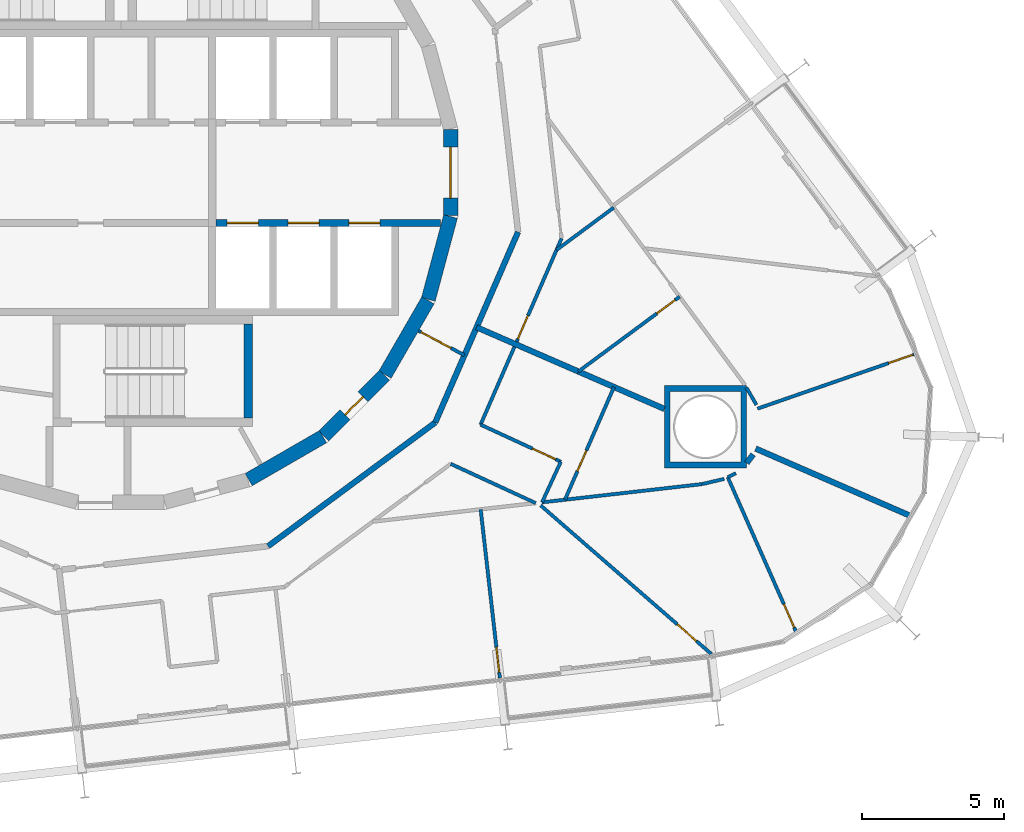
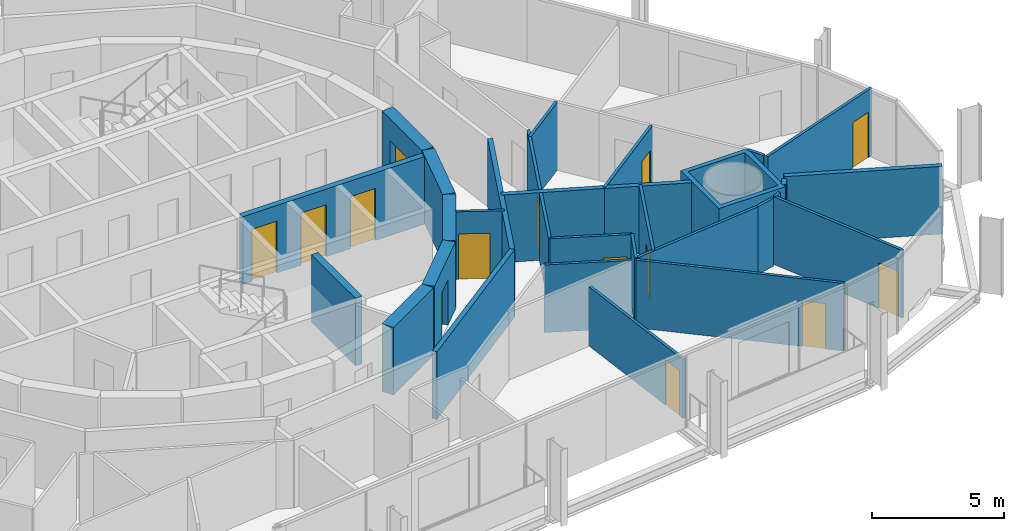
# One storey, part 19 of 24: 30 walls, 14 doors, 14 openings.
"""IFC4 building model written with IfcOpenShell, lengths in metres."""

from ifc_helpers import new_model, si_unit, direction, frame, frame_2d, origin, place, context, subcontext, project, spatial, polyline, rectangle, outline, extrude, material, layer, layer_set, type_object, element, fill, save


model = new_model("IFC4")

# Units and contexts
model_context = context("Model", 3, precision=1e-05, world=origin(), true_north=direction((0.0, 1.0)))
body_context = subcontext(model_context, "Body", "Model", "MODEL_VIEW")
ifc_project = project(units=[si_unit("LENGTHUNIT", "METRE"), si_unit("AREAUNIT", "SQUARE_METRE"), si_unit("VOLUMEUNIT", "CUBIC_METRE"), si_unit("PLANEANGLEUNIT", "RADIAN"), si_unit("MASSUNIT", "GRAM", prefix="KILO")], contexts=[model_context])

# Site, building, storey
site_placement = place(None, origin())
site = spatial("IfcSite", under=ifc_project, at=site_placement, CompositionType="ELEMENT")
building_placement = place(site_placement, origin())
building = spatial("IfcBuilding", under=site, at=building_placement, Name="Spindle Arch Residences", CompositionType="ELEMENT")
storey_placement = place(building_placement, frame((0.0, 0.0, 94.199951171875)))
storey = spatial("IfcBuildingStorey", under=building, at=storey_placement, Name="L22", CompositionType="ELEMENT", Elevation=94.199951171875)

# Wall
ifc_material_1 = material(Name="Concrete C50/60", Category="concrete")
ifc_layer_1 = layer(ifc_material_1, 0.5)
ifc_layer_set_1 = layer_set([ifc_layer_1], Name="Core outline wall 500")
wall_type_1 = type_object("IfcWallType", Name="Core outline wall 500", PredefinedType="SHEAR", material=ifc_layer_set_1)
wall_1_placement = place(storey_placement, frame((4.510498046875, -10.84521484375, 0.0), z_axis=(0.0, 0.0, 1.0), x_axis=(0.865975092491, 0.500087131594, 0.0)))
element("IfcWall", 1, at=wall_1_placement, inside=storey, type_object=wall_type_1, Name="Core outline wall 2", PredefinedType="SHEAR", context=body_context, shape_type="SweptSolid", body=[
    extrude(rectangle(XDim=3.03271484375, YDim=0.5, at=frame_2d((1.516357421875, 0.0))), origin(), (0.0, 0.0, 1.0), 3.1201171875),
])

# Wall, opening, door
wall_2_placement = place(storey_placement, frame((7.163818359375, -9.30810546875, 0.0), z_axis=(0.0, 0.0, 1.0), x_axis=(0.707106781187, 0.707106781187, 0.0)))
wall_2 = element("IfcWall", 2, at=wall_2_placement, inside=storey, type_object=wall_type_1, Name="Core outline wall 3", PredefinedType="SHEAR", context=body_context, shape_type="SweptSolid", body=[
    extrude(rectangle(XDim=3.032470703125, YDim=0.5, at=frame_2d((1.51611328125, 0.0))), origin(), (0.0, 0.0, 1.0), 3.1201171875),
])
opening_1_placement = place(wall_2_placement, frame((1.06640625, 0.0, 0.0)))
opening_1 = element("IfcOpeningElement", 3, at=opening_1_placement, cuts=wall_2, Name="Opening R2B1-WD07", PredefinedType="OPENING", context=body_context, shape_type="SweptSolid", body=[
    extrude(rectangle(XDim=0.89990234375, YDim=2.10009765625, at=frame_2d((0.449951171875, 1.050048828125))), frame((0.0, 0.260009765625, 0.0), z_axis=(0.0, -1.0, 0.0), x_axis=(1.0, 0.0, 0.0)), (0.0, 0.0, 1.0), 0.52001953125),
])
ifc_material_2 = material(Name="Steel, fire-resisting door", Category="steel")
door_type_1 = type_object("IfcDoorType", Name="Service room door 900x2100", OperationType="SINGLE_SWING_LEFT", PredefinedType="DOOR", material=ifc_material_2)
door_1_placement = place(opening_1_placement, origin())
door_1 = element("IfcDoor", 4, at=door_1_placement, inside=storey, type_object=door_type_1, Name="Service room door R2B1-WD07", OperationType="SINGLE_SWING_RIGHT", OverallHeight=2.10009765625, OverallWidth=0.89990234375, PredefinedType="DOOR", context=body_context, shape_type="SweptSolid", body=[
    extrude(rectangle(XDim=0.89990234375, YDim=2.10009765625, at=frame_2d((0.449951171875, 1.050048828125))), frame((0.0, 0.02490234375, 0.0), z_axis=(0.0, -1.0, 0.0), x_axis=(1.0, 0.0, 0.0)), (0.0, 0.0, 1.0), 0.050048828125),
])
fill(opening_1, door_1)

# Walls
for number, where, z_axis, x_axis, name in (
    (5, (9.32861328125, -7.13671875, 0.0), (0.0, 0.0, 1.0), (0.500087131594, 0.865975092491, 0.0), "Core outline wall 4"),
    (6, (10.858154296875, -4.479248046875, 0.0), (0.0, 0.0, 1.0), (0.258734743916, 0.965948410781, 0.0), "Core outline wall 5"),
):
    element("IfcWall", number, at=place(storey_placement, frame(where, z_axis=z_axis, x_axis=x_axis)), inside=storey, type_object=wall_type_1, Name=name, PredefinedType="SHEAR", context=body_context, shape_type="SweptSolid", body=[
        extrude(rectangle(XDim=3.03271484375, YDim=0.5, at=frame_2d((1.516357421875, 0.0))), origin(), (0.0, 0.0, 1.0), 3.1201171875),
    ])

# Wall, opening, door
wall_3_placement = place(storey_placement, frame((11.647216796875, -1.516357421875, 0.0), z_axis=(0.0, 0.0, 1.0), x_axis=(0.0, 1.0, 0.0)))
wall_3 = element("IfcWall", 7, at=wall_3_placement, inside=storey, type_object=wall_type_1, Name="Core outline wall 6", PredefinedType="SHEAR", context=body_context, shape_type="SweptSolid", body=[
    extrude(rectangle(XDim=3.03271484375, YDim=0.5, at=frame_2d((1.516357421875, 0.0))), origin(), (0.0, 0.0, 1.0), 3.1201171875),
])
opening_2_placement = place(wall_3_placement, frame((0.6162109375, 0.0, 0.0)))
opening_2 = element("IfcOpeningElement", 8, at=opening_2_placement, cuts=wall_3, Name="Opening R2B1-FE01", PredefinedType="OPENING", context=body_context, shape_type="SweptSolid", body=[
    extrude(rectangle(XDim=1.800048828125, YDim=2.10009765625, at=frame_2d((0.89990234375, 1.050048828125))), frame((0.0, 0.260009765625, 0.0), z_axis=(0.0, -1.0, 0.0), x_axis=(1.0, 0.0, 0.0)), (0.0, 0.0, 1.0), 0.52001953125),
])
ifc_material_3 = material(Name="Steel, fire-resisting door", Category="steel")
door_type_2 = type_object("IfcDoorType", Name="Fire-lift lobby door 1800x2100", OperationType="DOUBLE_DOOR_SINGLE_SWING", PredefinedType="DOOR", material=ifc_material_3)
door_2_placement = place(opening_2_placement, origin())
door_2 = element("IfcDoor", 9, at=door_2_placement, inside=storey, type_object=door_type_2, Name="Fire-lift lobby door R2B1-FE01", OperationType="DOUBLE_DOOR_SINGLE_SWING", OverallHeight=2.10009765625, OverallWidth=1.800048828125, PredefinedType="DOOR", context=body_context, shape_type="SweptSolid", body=[
    extrude(rectangle(XDim=1.800048828125, YDim=2.10009765625, at=frame_2d((0.89990234375, 1.050048828125))), frame((0.0, 0.02490234375, 0.0), z_axis=(0.0, -1.0, 0.0), x_axis=(1.0, 0.0, 0.0)), (0.0, 0.0, 1.0), 0.050048828125),
])
fill(opening_2, door_2)

ifc_material_4 = material(Name="Plasterboard on steel studs", Category="steel")
ifc_layer_2 = layer(ifc_material_4, 0.1201171875)
ifc_layer_set_2 = layer_set([ifc_layer_2], Name="Corridor division wall 120")
wall_type_2 = type_object("IfcWallType", Name="Corridor division wall 120", PredefinedType="PARTITIONING", material=ifc_layer_set_2)
wall_4_placement = place(storey_placement, frame((10.510986328125, -5.5888671875, 0.0), z_axis=(0.0, 0.0, 1.0), x_axis=(0.882962602189, -0.469443333253, 0.0)))
wall_4 = element("IfcWall", 10, at=wall_4_placement, inside=storey, type_object=wall_type_2, Name="Corridor division wall R2B1-W002", PredefinedType="PARTITIONING", context=body_context, shape_type="SweptSolid", body=[
    extrude(rectangle(XDim=1.837890625, YDim=0.1201171875, at=frame_2d((0.9189453125, 0.0))), origin(), (0.0, 0.0, 1.0), 3.1201171875),
])
opening_3_placement = place(wall_4_placement, frame((0.10009765625, 0.0, 0.0)))
opening_3 = element("IfcOpeningElement", 11, at=opening_3_placement, cuts=wall_4, Name="Opening R2B1-CD02", PredefinedType="OPENING", context=body_context, shape_type="SweptSolid", body=[
    extrude(rectangle(XDim=1.199951171875, YDim=2.10009765625, at=frame_2d((0.60009765625, 1.050048828125))), frame((0.0, 0.070068359375, 0.0), z_axis=(0.0, -1.0, 0.0), x_axis=(1.0, 0.0, 0.0)), (0.0, 0.0, 1.0), 0.14013671875),
])
ifc_material_5 = material(Name="Steel, fire-resisting door", Category="steel")
door_type_3 = type_object("IfcDoorType", Name="Corridor division door 1200x2100", OperationType="NOTDEFINED", PredefinedType="DOOR", material=ifc_material_5)
door_3_placement = place(opening_3_placement, origin())
door_3 = element("IfcDoor", 12, at=door_3_placement, inside=storey, type_object=door_type_3, Name="Corridor division door R2B1-CD02", OperationType="DOUBLE_DOOR_SINGLE_SWING", OverallHeight=2.10009765625, OverallWidth=1.199951171875, PredefinedType="DOOR", context=body_context, shape_type="SweptSolid", body=[
    extrude(rectangle(XDim=1.199951171875, YDim=2.10009765625, at=frame_2d((0.60009765625, 1.050048828125))), frame((0.0, 0.02490234375, 0.0), z_axis=(0.0, -1.0, 0.0), x_axis=(1.0, 0.0, 0.0)), (0.0, 0.0, 1.0), 0.050048828125),
])
fill(opening_3, door_3)

# Walls
ifc_material_6 = material(Name="Calcium silicate block, plastered")
ifc_layer_3 = layer(ifc_material_6, 0.199951171875)
ifc_layer_set_3 = layer_set([ifc_layer_3], Name="Corridor wall 200")
wall_type_3 = type_object("IfcWallType", Name="Corridor wall 200", PredefinedType="STANDARD", material=ifc_layer_set_3)
for number, where, z_axis, x_axis, name in (
    (13, (11.10009765625, -8.829345703125, 0.0), (0.0, 0.0, 1.0), (0.398741918631, 0.917063183388, 0.0), "Corridor wall R2B1-W007"),
    (14, (5.1982421875, -13.1962890625, 0.0), (0.0, 0.0, 1.0), (0.803869883159, 0.594805187394, 0.0), "Corridor wall R2B1-W015"),
):
    element("IfcWall", number, at=place(storey_placement, frame(where, z_axis=z_axis, x_axis=x_axis)), inside=storey, type_object=wall_type_3, Name=name, PredefinedType="STANDARD", context=body_context, shape_type="SweptSolid", body=[
        extrude(rectangle(XDim=7.341796875, YDim=0.199951171875, at=frame_2d((3.6708984375, 0.0))), origin(), (0.0, 0.0, 1.0), 3.1201171875),
    ])

# Wall, openings, doors
ifc_material_7 = material(Name="Concrete C50/60", Category="concrete")
ifc_layer_4 = layer(ifc_material_7, 0.25)
ifc_layer_set_4 = layer_set([ifc_layer_4], Name="Fire-lift shaft wall 250")
wall_type_4 = type_object("IfcWallType", Name="Fire-lift shaft wall 250", PredefinedType="SHEAR", material=ifc_layer_set_4)
wall_5_placement = place(storey_placement, frame((3.35009765625, -1.77490234375, 0.0), z_axis=(0.0, 0.0, 1.0), x_axis=(1.0, 0.0, 0.0)))
wall_5 = element("IfcWall", 15, at=wall_5_placement, inside=storey, type_object=wall_type_4, Name="Lift shaft front wall SE", PredefinedType="SHEAR", context=body_context, shape_type="SweptSolid", body=[
    extrude(rectangle(XDim=7.929931640625, YDim=0.25, at=frame_2d((3.96484375, 0.0))), origin(), (0.0, 0.0, 1.0), 3.1201171875),
])
opening_4_placement = place(wall_5_placement, frame((0.39990234375, 0.0, 0.0)))
opening_4 = element("IfcOpeningElement", 16, at=opening_4_placement, cuts=wall_5, Name="Opening R2B1-FLD01", PredefinedType="OPENING", context=body_context, shape_type="SweptSolid", body=[
    extrude(rectangle(XDim=1.10009765625, YDim=2.39990234375, at=frame_2d((0.550048828125, 1.199951171875))), frame((0.0, 0.135009765625, 0.0), z_axis=(0.0, -1.0, 0.0), x_axis=(1.0, 0.0, 0.0)), (0.0, 0.0, 1.0), 0.27001953125),
])
opening_5_placement = place(wall_5_placement, frame((2.550048828125, 0.0, 0.0)))
opening_5 = element("IfcOpeningElement", 17, at=opening_5_placement, cuts=wall_5, Name="Opening R2B1-FLD02", PredefinedType="OPENING", context=body_context, shape_type="SweptSolid", body=[
    extrude(rectangle(XDim=1.10009765625, YDim=2.39990234375, at=frame_2d((0.550048828125, 1.199951171875))), frame((0.0, 0.135009765625, 0.0), z_axis=(0.0, -1.0, 0.0), x_axis=(1.0, 0.0, 0.0)), (0.0, 0.0, 1.0), 0.27001953125),
])
opening_6_placement = place(wall_5_placement, frame((4.699951171875, 0.0, 0.0)))
opening_6 = element("IfcOpeningElement", 18, at=opening_6_placement, cuts=wall_5, Name="Opening R2B1-FLD03", PredefinedType="OPENING", context=body_context, shape_type="SweptSolid", body=[
    extrude(rectangle(XDim=1.10009765625, YDim=2.39990234375, at=frame_2d((0.550048828125, 1.199951171875))), frame((0.0, 0.135009765625, 0.0), z_axis=(0.0, -1.0, 0.0), x_axis=(1.0, 0.0, 0.0)), (0.0, 0.0, 1.0), 0.27001953125),
])
ifc_material_8 = material(Name="Steel, fire-resisting landing door", Category="steel")
door_type_4 = type_object("IfcDoorType", Name="Fire-fighting lift landing door 1100x2400", OperationType="DOUBLE_DOOR_SLIDING", PredefinedType="DOOR", material=ifc_material_8)
door_4_placement = place(opening_4_placement, origin())
door_4 = element("IfcDoor", 19, at=door_4_placement, inside=storey, type_object=door_type_4, Name="Fire-fighting lift landing door R2B1-FLD01", OperationType="DOUBLE_DOOR_SLIDING", OverallHeight=2.39990234375, OverallWidth=1.10009765625, PredefinedType="DOOR", context=body_context, shape_type="SweptSolid", body=[
    extrude(rectangle(XDim=1.10009765625, YDim=2.39990234375, at=frame_2d((0.550048828125, 1.199951171875))), frame((0.0, 0.02490234375, 0.0), z_axis=(0.0, -1.0, 0.0), x_axis=(1.0, 0.0, 0.0)), (0.0, 0.0, 1.0), 0.050048828125),
])
fill(opening_4, door_4)
door_5_placement = place(opening_5_placement, origin())
door_5 = element("IfcDoor", 20, at=door_5_placement, inside=storey, type_object=door_type_4, Name="Fire-fighting lift landing door R2B1-FLD02", OperationType="DOUBLE_DOOR_SLIDING", OverallHeight=2.39990234375, OverallWidth=1.10009765625, PredefinedType="DOOR", context=body_context, shape_type="SweptSolid", body=[
    extrude(rectangle(XDim=1.10009765625, YDim=2.39990234375, at=frame_2d((0.550048828125, 1.199951171875))), frame((0.0, 0.02490234375, 0.0), z_axis=(0.0, -1.0, 0.0), x_axis=(1.0, 0.0, 0.0)), (0.0, 0.0, 1.0), 0.050048828125),
])
fill(opening_5, door_5)
door_6_placement = place(opening_6_placement, origin())
door_6 = element("IfcDoor", 21, at=door_6_placement, inside=storey, type_object=door_type_4, Name="Fire-fighting lift landing door R2B1-FLD03", OperationType="DOUBLE_DOOR_SLIDING", OverallHeight=2.39990234375, OverallWidth=1.10009765625, PredefinedType="DOOR", context=body_context, shape_type="SweptSolid", body=[
    extrude(rectangle(XDim=1.10009765625, YDim=2.39990234375, at=frame_2d((0.550048828125, 1.199951171875))), frame((0.0, 0.02490234375, 0.0), z_axis=(0.0, -1.0, 0.0), x_axis=(1.0, 0.0, 0.0)), (0.0, 0.0, 1.0), 0.050048828125),
])
fill(opening_6, door_6)

# Walls
ifc_material_9 = material(Name="Plasterboard on steel studs", Category="steel")
ifc_layer_5 = layer(ifc_material_9, 0.1201171875)
ifc_layer_set_5 = layer_set([ifc_layer_5], Name="Flat partition 120")
wall_type_5 = type_object("IfcWallType", Name="Flat partition 120", PredefinedType="PARTITIONING", material=ifc_layer_set_5)
wall_6_placement = place(storey_placement, frame((11.648681640625, -10.289306640625, 0.0), z_axis=(0.0, 0.0, 1.0), x_axis=(0.9079269461, -0.419128453514, 0.0)))
element("IfcWall", 22, at=wall_6_placement, inside=storey, type_object=wall_type_5, Name="Flat partition R2B1-W098", PredefinedType="PARTITIONING", context=body_context, shape_type="SweptSolid", body=[
    extrude(rectangle(XDim=3.304443359375, YDim=0.1201171875, at=frame_2d((1.65234375, 0.0))), origin(), (0.0, 0.0, 1.0), 3.1201171875),
])
wall_7_placement = place(storey_placement, frame((14.87548828125, -11.6484375, 0.0), z_axis=(0.0, 0.0, 1.0), x_axis=(0.419087543301, 0.90794583046, 0.0)))
element("IfcWall", 23, at=wall_7_placement, inside=storey, type_object=wall_type_5, Name="Flat partition R2B1-W099", PredefinedType="PARTITIONING", context=body_context, shape_type="SweptSolid", body=[
    extrude(rectangle(XDim=1.58154296875, YDim=0.1201171875, at=frame_2d((0.790771484375, 0.0))), origin(), (0.0, 0.0, 1.0), 3.1201171875),
])

# Wall, opening, door
wall_8_placement = place(storey_placement, frame((15.538330078125, -10.21240234375, 0.0), z_axis=(0.0, 0.0, 1.0), x_axis=(-0.907941075756, 0.419097844131, 0.0)))
wall_8 = element("IfcWall", 24, at=wall_8_placement, inside=storey, type_object=wall_type_5, Name="Flat partition R2B1-W100", PredefinedType="PARTITIONING", context=body_context, shape_type="SweptSolid", body=[
    extrude(rectangle(XDim=3.122314453125, YDim=0.1201171875, at=frame_2d((1.56103515625, 0.0))), origin(), (0.0, 0.0, 1.0), 3.1201171875),
])
opening_7_placement = place(wall_8_placement, frame((0.199951171875, 0.0, 0.0)))
opening_7 = element("IfcOpeningElement", 25, at=opening_7_placement, cuts=wall_8, Name="Opening R2B1-ID27", PredefinedType="OPENING", context=body_context, shape_type="SweptSolid", body=[
    extrude(rectangle(XDim=0.89990234375, YDim=2.10009765625, at=frame_2d((0.449951171875, 1.050048828125))), frame((0.0, 0.070068359375, 0.0), z_axis=(0.0, -1.0, 0.0), x_axis=(1.0, 0.0, 0.0)), (0.0, 0.0, 1.0), 0.14013671875),
])
ifc_material_10 = material(Name="Timber door set", Category="wood")
door_type_5 = type_object("IfcDoorType", Name="Room door 900x2100", OperationType="NOTDEFINED", PredefinedType="DOOR", material=ifc_material_10)
door_7_placement = place(opening_7_placement, origin())
door_7 = element("IfcDoor", 26, at=door_7_placement, inside=storey, type_object=door_type_5, Name="Room door R2B1-ID27", OperationType="SINGLE_SWING_LEFT", OverallHeight=2.10009765625, OverallWidth=0.89990234375, PredefinedType="DOOR", context=body_context, shape_type="SweptSolid", body=[
    extrude(rectangle(XDim=0.89990234375, YDim=2.10009765625, at=frame_2d((0.449951171875, 1.050048828125))), frame((0.0, 0.02490234375, 0.0), z_axis=(0.0, -1.0, 0.0), x_axis=(1.0, 0.0, 0.0)), (0.0, 0.0, 1.0), 0.050048828125),
])
fill(opening_7, door_7)

wall_9_placement = place(storey_placement, frame((12.703369140625, -8.90380859375, 0.0), z_axis=(0.0, 0.0, 1.0), x_axis=(0.398716154453, 0.917074385303, 0.0)))
wall_9 = element("IfcWall", 27, at=wall_9_placement, inside=storey, type_object=wall_type_5, Name="Flat partition R2B1-W101", PredefinedType="PARTITIONING", context=body_context, shape_type="SweptSolid", body=[
    extrude(rectangle(XDim=7.172607421875, YDim=0.1201171875, at=frame_2d((3.58642578125, 0.0))), origin(), (0.0, 0.0, 1.0), 3.1201171875),
])
opening_8_placement = place(wall_9_placement, frame((3.2998046875, 0.0, 0.0)))
opening_8 = element("IfcOpeningElement", 28, at=opening_8_placement, cuts=wall_9, Name="Opening R2B1-ID32", PredefinedType="OPENING", context=body_context, shape_type="SweptSolid", body=[
    extrude(rectangle(XDim=0.89990234375, YDim=2.10009765625, at=frame_2d((0.449951171875, 1.050048828125))), frame((0.0, 0.070068359375, 0.0), z_axis=(0.0, -1.0, 0.0), x_axis=(1.0, 0.0, 0.0)), (0.0, 0.0, 1.0), 0.14013671875),
])
door_8_placement = place(opening_8_placement, origin())
door_8 = element("IfcDoor", 29, at=door_8_placement, inside=storey, type_object=door_type_5, Name="Room door R2B1-ID32", OperationType="SINGLE_SWING_RIGHT", OverallHeight=2.10009765625, OverallWidth=0.89990234375, PredefinedType="DOOR", context=body_context, shape_type="SweptSolid", body=[
    extrude(rectangle(XDim=0.89990234375, YDim=2.10009765625, at=frame_2d((0.449951171875, 1.050048828125))), frame((0.0, 0.02490234375, 0.0), z_axis=(0.0, -1.0, 0.0), x_axis=(1.0, 0.0, 0.0)), (0.0, 0.0, 1.0), 0.050048828125),
])
fill(opening_8, door_8)

wall_10_placement = place(storey_placement, frame((20.856201171875, -17.005859375, 0.0), z_axis=(0.0, 0.0, 1.0), x_axis=(-0.75423134567, 0.656608770281, 0.0)))
wall_10 = element("IfcWall", 30, at=wall_10_placement, inside=storey, type_object=wall_type_5, Name="Flat partition R2B1-W105", PredefinedType="PARTITIONING", context=body_context, shape_type="SweptSolid", body=[
    extrude(rectangle(XDim=7.995361328125, YDim=0.1201171875, at=frame_2d((3.99755859375, 0.0))), origin(), (0.0, 0.0, 1.0), 3.1201171875),
])
opening_9_placement = place(wall_10_placement, frame((0.699951171875, 0.0, 0.0)))
opening_9 = element("IfcOpeningElement", 31, at=opening_9_placement, cuts=wall_10, Name="Opening R2B1-ID29", PredefinedType="OPENING", context=body_context, shape_type="SweptSolid", body=[
    extrude(rectangle(XDim=0.89990234375, YDim=2.10009765625, at=frame_2d((0.449951171875, 1.050048828125))), frame((0.0, 0.070068359375, 0.0), z_axis=(0.0, -1.0, 0.0), x_axis=(1.0, 0.0, 0.0)), (0.0, 0.0, 1.0), 0.14013671875),
])
door_9_placement = place(opening_9_placement, origin())
door_9 = element("IfcDoor", 32, at=door_9_placement, inside=storey, type_object=door_type_5, Name="Room door R2B1-ID29", OperationType="SINGLE_SWING_RIGHT", OverallHeight=2.10009765625, OverallWidth=0.89990234375, PredefinedType="DOOR", context=body_context, shape_type="SweptSolid", body=[
    extrude(rectangle(XDim=0.89990234375, YDim=2.10009765625, at=frame_2d((0.449951171875, 1.050048828125))), frame((0.0, 0.02490234375, 0.0), z_axis=(0.0, -1.0, 0.0), x_axis=(1.0, 0.0, 0.0)), (0.0, 0.0, 1.0), 0.050048828125),
])
fill(opening_9, door_9)

# Walls
wall_11_placement = place(storey_placement, frame((20.52685546875, -11.00439453125, 0.0), z_axis=(0.0, 0.0, 1.0), x_axis=(-0.993568869194, -0.113229422712, 0.0)))
element("IfcWall", 33, at=wall_11_placement, inside=storey, type_object=wall_type_5, Name="Flat partition R2B1-W106", PredefinedType="PARTITIONING", context=body_context, shape_type="SweptSolid", body=[
    extrude(rectangle(XDim=5.68798828125, YDim=0.1201171875, at=frame_2d((2.843994140625, 0.0))), origin(), (0.0, 0.0, 1.0), 3.1201171875),
])
wall_12_placement = place(storey_placement, frame((21.3125, -10.82080078125, 0.0), z_axis=(0.0, 0.0, 1.0), x_axis=(-0.973765266404, -0.227554841621, 0.0)))
element("IfcWall", 34, at=wall_12_placement, inside=storey, type_object=wall_type_5, Name="Flat partition R2B1-W107", PredefinedType="PARTITIONING", context=body_context, shape_type="SweptSolid", body=[
    extrude(rectangle(XDim=0.806884765625, YDim=0.1201171875, at=frame_2d((0.4033203125, 0.0))), origin(), (0.0, 0.0, 1.0), 3.1201171875),
])

# Wall, opening, door
wall_13_placement = place(storey_placement, frame((23.863525390625, -16.253173828125, 0.0), z_axis=(0.0, 0.0, 1.0), x_axis=(-0.404274566917, 0.914637673915, 0.0)))
wall_13 = element("IfcWall", 35, at=wall_13_placement, inside=storey, type_object=wall_type_5, Name="Flat partition R2B1-W108", PredefinedType="PARTITIONING", context=body_context, shape_type="SweptSolid", body=[
    extrude(rectangle(XDim=6.00634765625, YDim=0.1201171875, at=frame_2d((3.003173828125, 0.0))), origin(), (0.0, 0.0, 1.0), 3.1201171875),
])
opening_10_placement = place(wall_13_placement, frame((0.199951171875, 0.0, 0.0)))
opening_10 = element("IfcOpeningElement", 36, at=opening_10_placement, cuts=wall_13, Name="Opening R2B1-ID30", PredefinedType="OPENING", context=body_context, shape_type="SweptSolid", body=[
    extrude(rectangle(XDim=0.89990234375, YDim=2.10009765625, at=frame_2d((0.449951171875, 1.050048828125))), frame((0.0, 0.070068359375, 0.0), z_axis=(0.0, -1.0, 0.0), x_axis=(1.0, 0.0, 0.0)), (0.0, 0.0, 1.0), 0.14013671875),
])
door_10_placement = place(opening_10_placement, origin())
door_10 = element("IfcDoor", 37, at=door_10_placement, inside=storey, type_object=door_type_5, Name="Room door R2B1-ID30", OperationType="SINGLE_SWING_RIGHT", OverallHeight=2.10009765625, OverallWidth=0.89990234375, PredefinedType="DOOR", context=body_context, shape_type="SweptSolid", body=[
    extrude(rectangle(XDim=0.89990234375, YDim=2.10009765625, at=frame_2d((0.449951171875, 1.050048828125))), frame((0.0, 0.02490234375, 0.0), z_axis=(0.0, -1.0, 0.0), x_axis=(1.0, 0.0, 0.0)), (0.0, 0.0, 1.0), 0.050048828125),
])
fill(opening_10, door_10)

wall_14_placement = place(storey_placement, frame((15.685546875, -11.55615234375, 0.0), z_axis=(0.0, 0.0, 1.0), x_axis=(0.398724055903, 0.917070949951, 0.0)))
wall_14 = element("IfcWall", 38, at=wall_14_placement, inside=storey, type_object=wall_type_5, Name="Flat partition R2B1-W109", PredefinedType="PARTITIONING", context=body_context, shape_type="SweptSolid", body=[
    extrude(rectangle(XDim=4.343017578125, YDim=0.1201171875, at=frame_2d((2.17138671875, 0.0))), origin(), (0.0, 0.0, 1.0), 3.1201171875),
])
opening_11_placement = place(wall_14_placement, frame((1.10009765625, 0.0, 0.0)))
opening_11 = element("IfcOpeningElement", 39, at=opening_11_placement, cuts=wall_14, Name="Opening R2B1-BD06", PredefinedType="OPENING", context=body_context, shape_type="SweptSolid", body=[
    extrude(rectangle(XDim=0.800048828125, YDim=2.10009765625, at=frame_2d((0.39990234375, 1.050048828125))), frame((0.0, 0.070068359375, 0.0), z_axis=(0.0, -1.0, 0.0), x_axis=(1.0, 0.0, 0.0)), (0.0, 0.0, 1.0), 0.14013671875),
])
ifc_material_11 = material(Name="Timber door set", Category="wood")
door_type_6 = type_object("IfcDoorType", Name="Bathroom door 800x2100", OperationType="NOTDEFINED", PredefinedType="DOOR", material=ifc_material_11)
door_11_placement = place(opening_11_placement, origin())
door_11 = element("IfcDoor", 40, at=door_11_placement, inside=storey, type_object=door_type_6, Name="Bathroom door R2B1-BD06", OperationType="SINGLE_SWING_RIGHT", OverallHeight=2.10009765625, OverallWidth=0.800048828125, PredefinedType="DOOR", context=body_context, shape_type="SweptSolid", body=[
    extrude(rectangle(XDim=0.800048828125, YDim=2.10009765625, at=frame_2d((0.39990234375, 1.050048828125))), frame((0.0, 0.02490234375, 0.0), z_axis=(0.0, -1.0, 0.0), x_axis=(1.0, 0.0, 0.0)), (0.0, 0.0, 1.0), 0.050048828125),
])
fill(opening_11, door_11)

# Wall
wall_15_placement = place(storey_placement, frame((21.435302734375, -10.759521484375, 0.0), z_axis=(0.0, 0.0, 1.0), x_axis=(0.895041493646, 0.445982874841, 0.0)))
element("IfcWall", 41, at=wall_15_placement, inside=storey, type_object=wall_type_5, Name="Flat partition R2B1-W110", PredefinedType="PARTITIONING", context=body_context, shape_type="SweptSolid", body=[
    extrude(rectangle(XDim=0.3173828125, YDim=0.1201171875, at=frame_2d((0.15869140625, 0.0))), origin(), (0.0, 0.0, 1.0), 3.1201171875),
])

# Wall, opening, door
wall_16_placement = place(storey_placement, frame((28.161865234375, -6.367919921875, 0.0), z_axis=(0.0, 0.0, 1.0), x_axis=(-0.944645847702, -0.328091789624, 0.0)))
wall_16 = element("IfcWall", 42, at=wall_16_placement, inside=storey, type_object=wall_type_5, Name="Flat partition R2B1-W117", PredefinedType="PARTITIONING", context=body_context, shape_type="SweptSolid", body=[
    extrude(rectangle(XDim=6.006591796875, YDim=0.1201171875, at=frame_2d((3.00341796875, 0.0))), origin(), (0.0, 0.0, 1.0), 3.1201171875),
])
opening_12_placement = place(wall_16_placement, frame((0.199951171875, 0.0, 0.0)))
opening_12 = element("IfcOpeningElement", 43, at=opening_12_placement, cuts=wall_16, Name="Opening R2B1-ID34", PredefinedType="OPENING", context=body_context, shape_type="SweptSolid", body=[
    extrude(rectangle(XDim=0.89990234375, YDim=2.10009765625, at=frame_2d((0.449951171875, 1.050048828125))), frame((0.0, 0.070068359375, 0.0), z_axis=(0.0, -1.0, 0.0), x_axis=(1.0, 0.0, 0.0)), (0.0, 0.0, 1.0), 0.14013671875),
])
door_12_placement = place(opening_12_placement, origin())
door_12 = element("IfcDoor", 44, at=door_12_placement, inside=storey, type_object=door_type_5, Name="Room door R2B1-ID34", OperationType="SINGLE_SWING_LEFT", OverallHeight=2.10009765625, OverallWidth=0.89990234375, PredefinedType="DOOR", context=body_context, shape_type="SweptSolid", body=[
    extrude(rectangle(XDim=0.89990234375, YDim=2.10009765625, at=frame_2d((0.449951171875, 1.050048828125))), frame((0.0, 0.02490234375, 0.0), z_axis=(0.0, -1.0, 0.0), x_axis=(1.0, 0.0, 0.0)), (0.0, 0.0, 1.0), 0.050048828125),
])
fill(opening_12, door_12)

# Wall
wall_17_placement = place(storey_placement, frame((22.44873046875, -8.20703125, 0.0), z_axis=(0.0, 0.0, 1.0), x_axis=(-0.497404938529, 0.867518488061, 0.0)))
element("IfcWall", 45, at=wall_17_placement, inside=storey, type_object=wall_type_5, Name="Flat partition R2B1-W118", PredefinedType="PARTITIONING", context=body_context, shape_type="SweptSolid", body=[
    extrude(rectangle(XDim=0.705810546875, YDim=0.1201171875, at=frame_2d((0.35302734375, 0.0))), origin(), (0.0, 0.0, 1.0), 3.1201171875),
])

# Wall, opening, door
wall_18_placement = place(storey_placement, frame((19.734619140625, -4.381591796875, 0.0), z_axis=(0.0, 0.0, 1.0), x_axis=(-0.803850825108, -0.594830943188, 0.0)))
wall_18 = element("IfcWall", 46, at=wall_18_placement, inside=storey, type_object=wall_type_5, Name="Flat partition R2B1-W119", PredefinedType="PARTITIONING", context=body_context, shape_type="SweptSolid", body=[
    extrude(rectangle(XDim=4.44677734375, YDim=0.1201171875, at=frame_2d((2.223388671875, 0.0))), origin(), (0.0, 0.0, 1.0), 3.1201171875),
])
opening_13_placement = place(wall_18_placement, frame((0.199951171875, 0.0, 0.0)))
opening_13 = element("IfcOpeningElement", 47, at=opening_13_placement, cuts=wall_18, Name="Opening R2B1-BD08", PredefinedType="OPENING", context=body_context, shape_type="SweptSolid", body=[
    extrude(rectangle(XDim=0.800048828125, YDim=2.10009765625, at=frame_2d((0.39990234375, 1.050048828125))), frame((0.0, 0.070068359375, 0.0), z_axis=(0.0, -1.0, 0.0), x_axis=(1.0, 0.0, 0.0)), (0.0, 0.0, 1.0), 0.14013671875),
])
door_13_placement = place(opening_13_placement, origin())
door_13 = element("IfcDoor", 48, at=door_13_placement, inside=storey, type_object=door_type_6, Name="Bathroom door R2B1-BD08", OperationType="SINGLE_SWING_LEFT", OverallHeight=2.10009765625, OverallWidth=0.800048828125, PredefinedType="DOOR", context=body_context, shape_type="SweptSolid", body=[
    extrude(rectangle(XDim=0.800048828125, YDim=2.10009765625, at=frame_2d((0.39990234375, 1.050048828125))), frame((0.0, 0.02490234375, 0.0), z_axis=(0.0, -1.0, 0.0), x_axis=(1.0, 0.0, 0.0)), (0.0, 0.0, 1.0), 0.050048828125),
])
fill(opening_13, door_13)

# Wall
wall_19_placement = place(storey_placement, frame((17.40771484375, -1.2373046875, 0.0), z_axis=(0.0, 0.0, 1.0), x_axis=(-0.803863255433, -0.594814144556, 0.0)))
element("IfcWall", 49, at=wall_19_placement, inside=storey, type_object=wall_type_5, Name="Flat partition R2B1-W121", PredefinedType="PARTITIONING", context=body_context, shape_type="SweptSolid", body=[
    extrude(rectangle(XDim=2.514404296875, YDim=0.1201171875, at=frame_2d((1.25732421875, 0.0))), origin(), (0.0, 0.0, 1.0), 3.1201171875),
])

# Wall, opening, door
ifc_material_12 = material(Name="Plasterboard on steel studs", Category="steel")
ifc_layer_6 = layer(ifc_material_12, 0.1201171875)
ifc_layer_set_6 = layer_set([ifc_layer_6], Name="Flat partition 120 under beam 2730")
wall_type_6 = type_object("IfcWallType", Name="Flat partition 120 under beam 2730", PredefinedType="PARTITIONING", material=ifc_layer_set_6)
wall_20_placement = place(storey_placement, frame((13.3857421875, -17.85693359375, 0.0), z_axis=(0.0, 0.0, 1.0), x_axis=(-0.113200012983, 0.993572220355, 0.0)))
wall_20 = element("IfcWall", 50, at=wall_20_placement, inside=storey, type_object=wall_type_6, Name="Flat partition R2B1-W104", PredefinedType="PARTITIONING", context=body_context, shape_type="SweptSolid", body=[
    extrude(rectangle(XDim=6.0, YDim=0.1201171875, at=frame_2d((3.0, 0.0))), origin(), (0.0, 0.0, 1.0), 2.72998046875),
])
opening_14_placement = place(wall_20_placement, frame((0.199951171875, 0.0, 0.0)))
opening_14 = element("IfcOpeningElement", 51, at=opening_14_placement, cuts=wall_20, Name="Opening R2B1-ID28", PredefinedType="OPENING", context=body_context, shape_type="SweptSolid", body=[
    extrude(rectangle(XDim=0.89990234375, YDim=2.10009765625, at=frame_2d((0.449951171875, 1.050048828125))), frame((0.0, 0.070068359375, 0.0), z_axis=(0.0, -1.0, 0.0), x_axis=(1.0, 0.0, 0.0)), (0.0, 0.0, 1.0), 0.14013671875),
])
door_14_placement = place(opening_14_placement, origin())
door_14 = element("IfcDoor", 52, at=door_14_placement, inside=storey, type_object=door_type_5, Name="Room door R2B1-ID28", OperationType="SINGLE_SWING_RIGHT", OverallHeight=2.10009765625, OverallWidth=0.89990234375, PredefinedType="DOOR", context=body_context, shape_type="SweptSolid", body=[
    extrude(rectangle(XDim=0.89990234375, YDim=2.10009765625, at=frame_2d((0.449951171875, 1.050048828125))), frame((0.0, 0.02490234375, 0.0), z_axis=(0.0, -1.0, 0.0), x_axis=(1.0, 0.0, 0.0)), (0.0, 0.0, 1.0), 0.050048828125),
])
fill(opening_14, door_14)

# Walls
ifc_material_13 = material(Name="Calcium silicate block, plastered")
ifc_layer_7 = layer(ifc_material_13, 0.199951171875)
ifc_layer_set_7 = layer_set([ifc_layer_7], Name="Flat party wall 200")
wall_type_7 = type_object("IfcWallType", Name="Flat party wall 200", PredefinedType="STANDARD", material=ifc_layer_set_7)
wall_21_placement = place(storey_placement, frame((16.16015625, -7.026611328125, 0.0), z_axis=(0.0, 0.0, 1.0), x_axis=(-0.917065107526, 0.398737493293, 0.0)))
element("IfcWall", 53, at=wall_21_placement, inside=storey, type_object=wall_type_7, Name="Flat party wall R2B1-W024", PredefinedType="STANDARD", context=body_context, shape_type="SweptSolid", body=[
    extrude(rectangle(XDim=3.921630859375, YDim=0.199951171875, at=frame_2d((1.9609375, 0.0))), origin(), (0.0, 0.0, 1.0), 3.1201171875),
])
wall_22_placement = place(storey_placement, frame((19.197509765625, -8.347412109375, 0.0), z_axis=(0.0, 0.0, 1.0), x_axis=(-0.917046616943, 0.398780017495, 0.0)))
element("IfcWall", 54, at=wall_22_placement, inside=storey, type_object=wall_type_7, Name="Flat party wall R2B1-W025", PredefinedType="STANDARD", context=body_context, shape_type="SweptSolid", body=[
    extrude(rectangle(XDim=3.31201171875, YDim=0.199951171875, at=frame_2d((1.656005859375, 0.0))), origin(), (0.0, 0.0, 1.0), 3.1201171875),
])
wall_23_placement = place(storey_placement, frame((27.9345703125, -12.146240234375, 0.0), z_axis=(0.0, 0.0, 1.0), x_axis=(-0.917058430913, 0.398752848631, 0.0)))
element("IfcWall", 55, at=wall_23_placement, inside=storey, type_object=wall_type_7, Name="Flat party wall R2B1-W026", PredefinedType="STANDARD", context=body_context, shape_type="SweptSolid", body=[
    extrude(rectangle(XDim=6.010009765625, YDim=0.199951171875, at=frame_2d((3.0048828125, 0.0))), origin(), (0.0, 0.0, 1.0), 3.1201171875),
])
wall_24_placement = place(storey_placement, frame((22.332763671875, -9.957275390625, 0.0), z_axis=(0.0, 0.0, 1.0), x_axis=(-0.599479717237, -0.800389947851, 0.0)))
element("IfcWall", 56, at=wall_24_placement, inside=storey, type_object=wall_type_7, Name="Flat party wall R2B1-W027", PredefinedType="STANDARD", context=body_context, shape_type="SweptSolid", body=[
    extrude(rectangle(XDim=0.37548828125, YDim=0.199951171875, at=frame_2d((0.187744140625, 0.0))), origin(), (0.0, 0.0, 1.0), 3.1201171875),
])
ifc_material_14 = material(Name="Calcium silicate block, plastered")
ifc_layer_8 = layer(ifc_material_14, 0.199951171875)
ifc_layer_set_8 = layer_set([ifc_layer_8], Name="Mega-column casing wall 200")
wall_type_8 = type_object("IfcWallType", Name="Mega-column casing wall 200", PredefinedType="STANDARD", material=ifc_layer_set_8)
wall_25_placement = place(storey_placement, origin())
element("IfcWall", 57, at=wall_25_placement, inside=storey, type_object=wall_type_8, Name="Mega-column casing wall R2B1-WC03", PredefinedType="STANDARD", context=body_context, shape_type="SweptSolid", body=[
    extrude(outline(polyline([(22.09765625, -7.52783203125), (22.09765625, -10.427734375), (19.197509765625, -10.427734375), (19.197509765625, -7.52783203125), (22.09765625, -7.52783203125)]), holes=[polyline([(19.397705078125, -10.227783203125), (21.897705078125, -10.227783203125), (21.897705078125, -7.727783203125), (19.397705078125, -7.727783203125), (19.397705078125, -10.227783203125)])]), origin(), (0.0, 0.0, 1.0), 3.1201171875),
])
ifc_material_15 = material(Name="Concrete C50/60", Category="concrete")
ifc_layer_9 = layer(ifc_material_15, 0.300048828125)
ifc_layer_set_9 = layer_set([ifc_layer_9], Name="Stair enclosure wall 300")
wall_type_9 = type_object("IfcWallType", Name="Stair enclosure wall 300", PredefinedType="SHEAR", material=ifc_layer_set_9)
wall_26_placement = place(storey_placement, frame((4.5, -8.669921875, 0.0), z_axis=(0.0, 0.0, 1.0), x_axis=(0.0, 1.0, 0.0)))
element("IfcWall", 58, at=wall_26_placement, inside=storey, type_object=wall_type_9, Name="Stair ST-3 enclosure wall E", PredefinedType="SHEAR", context=body_context, shape_type="SweptSolid", body=[
    extrude(rectangle(XDim=3.31982421875, YDim=0.300048828125, at=frame_2d((1.659912109375, 0.0))), origin(), (0.0, 0.0, 1.0), 3.1201171875),
])

save(model, "model.ifc")
